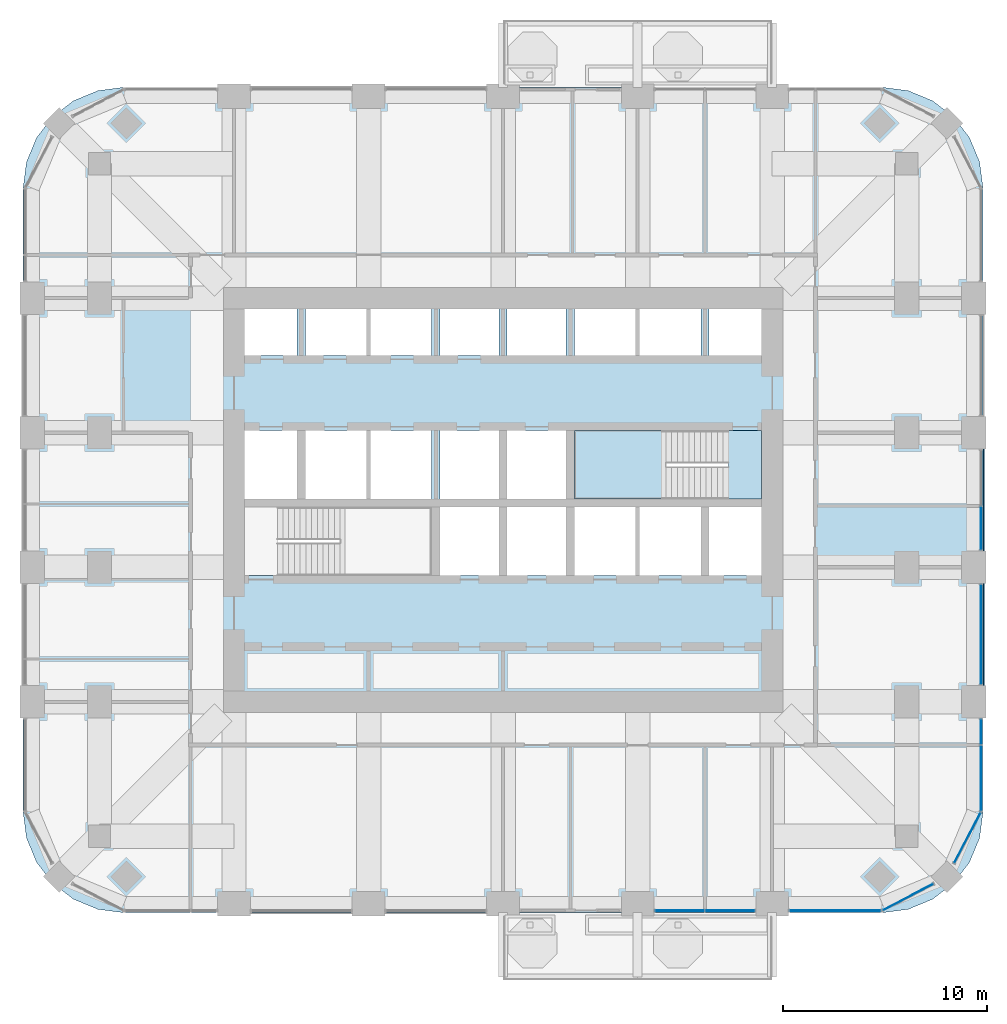
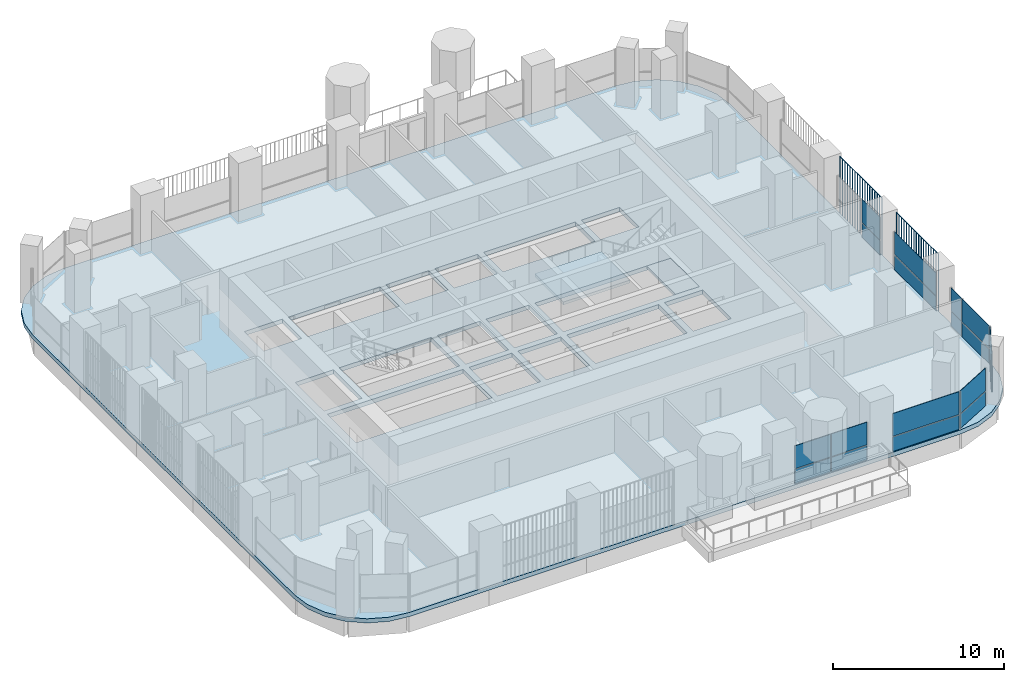
# One storey, part 10 of 19: 20 plates, 3 slabs, 8 elements without a shape of their own.
"""IFC4 building model written with IfcOpenShell, lengths in metres."""

import ifcopenshell
import ifcopenshell.guid

model = None  # the IFC model being written
_history = None  # IfcOwnerHistory: only IFC2X3 demands one
_inside = {}  # id of a spatial element -> (the spatial element, [elements in it])
_under = {}  # id of a project, library or spatial element -> (it, [spatial elements below it])
_declared = {}  # id of a project -> (the project, [libraries it declares])
_typed = {}  # id of a type object -> (the type object, [elements of that type])
_made_of = {}  # id of a material, layer set ... -> (it, [elements and type objects made of it])


def new_model(schema):
    """Start an empty IFC model of exactly this schema.

    Asked for "IFC4X3", IfcOpenShell would pick the latest addendum, in which some entities
    have other attributes; the version numbers below select the first issue.
    IFC2X3 requires an IfcOwnerHistory on every rooted entity: one is made here for all.
    """
    global model, _history
    if schema == "IFC4X3":
        model = ifcopenshell.file(schema_version=(4, 3, 0, 0))
    else:
        model = ifcopenshell.file(schema=schema)
    _inside.clear()
    _under.clear()
    _declared.clear()
    _typed.clear()
    _made_of.clear()
    _history = None
    if model.schema == "IFC2X3":
        org = make("IfcOrganization", Name="unknown")
        user = make(
            "IfcPersonAndOrganization",
            ThePerson=make("IfcPerson", FamilyName="unknown"),
            TheOrganization=org,
        )
        app = make(
            "IfcApplication",
            ApplicationDeveloper=org,
            Version="unknown",
            ApplicationFullName="unknown",
            ApplicationIdentifier="unknown",
        )
        _history = make(
            "IfcOwnerHistory",
            OwningUser=user,
            OwningApplication=app,
            ChangeAction="ADDED",
            CreationDate=0,
        )
    return model


def make(cls, **values):
    """One entity of the class cls with the attributes given. An attribute that is None is left unset."""
    return model.create_entity(
        cls, **{name: value for name, value in values.items() if value is not None}
    )


def rooted(cls, **values):
    """An entity with a GlobalId (a new one), such as an element, a storey or a relation."""
    return make(cls, GlobalId=ifcopenshell.guid.new(), OwnerHistory=_history, **values)


def si_unit(unit_type, name, prefix=None):
    """IfcSIUnit, for example si_unit("LENGTHUNIT", "METRE", prefix="MILLI")."""
    return make("IfcSIUnit", UnitType=unit_type, Prefix=prefix, Name=name)


def assignment(units):
    """IfcUnitAssignment: the units of a project."""
    return None if units is None else make("IfcUnitAssignment", Units=units)


def point(xyz):
    """IfcCartesianPoint."""
    return None if xyz is None else make("IfcCartesianPoint", Coordinates=xyz)


def direction(xyz):
    """IfcDirection."""
    return None if xyz is None else make("IfcDirection", DirectionRatios=xyz)


def frame(location, z_axis=None, x_axis=None):
    """IfcAxis2Placement3D, a coordinate frame: its origin and axes. An axis left out is left unset."""
    return make(
        "IfcAxis2Placement3D",
        Location=point(location),
        Axis=direction(z_axis),
        RefDirection=direction(x_axis),
    )


def frame_2d(location, x_axis=None):
    """IfcAxis2Placement2D, a coordinate frame in the plane: its origin and x axis."""
    return make(
        "IfcAxis2Placement2D", Location=point(location), RefDirection=direction(x_axis)
    )


def origin():
    """The frame at (0, 0, 0) with its axes left unset."""
    return frame((0.0, 0.0, 0.0))


def origin_2d():
    """The frame at (0, 0) in the plane with its x axis left unset."""
    return frame_2d((0.0, 0.0))


def place(relative_to, where):
    """IfcLocalPlacement: puts the frame where relative to a parent placement (None: the world)."""
    return make(
        "IfcLocalPlacement", PlacementRelTo=relative_to, RelativePlacement=where
    )


def context(
    kind, dimensions, precision=None, world=None, true_north=None, identifier=None
):
    """IfcGeometricRepresentationContext, for example the 3D "Model" context."""
    return make(
        "IfcGeometricRepresentationContext",
        ContextIdentifier=identifier,
        ContextType=kind,
        CoordinateSpaceDimension=dimensions,
        Precision=precision,
        WorldCoordinateSystem=world,
        TrueNorth=true_north,
    )


def subcontext(parent, identifier, kind, view, scale=None):
    """IfcGeometricRepresentationSubContext, for example "Body" below "Model"."""
    return make(
        "IfcGeometricRepresentationSubContext",
        ContextIdentifier=identifier,
        ContextType=kind,
        ParentContext=parent,
        TargetScale=scale,
        TargetView=view,
    )


def project(units=None, contexts=None):
    """IfcProject with its units and contexts."""
    return rooted(
        "IfcProject",
        Name="project",
        RepresentationContexts=contexts,
        UnitsInContext=assignment(units),
    )


def spatial(cls, under=None, at=None, **own):
    """A site, building, storey or space (cls), placed at a placement, below another one or the project."""
    s = rooted(cls, ObjectPlacement=at, **own)
    if under is not None:
        _under.setdefault(under.id(), (under, []))[1].append(s)
    return s


def polyline(points):
    """IfcPolyline through the points."""
    return make("IfcPolyline", Points=[point(p) for p in points])


def profile(cls, at=None, kind="AREA", **sizes):
    """A parametric profile (cls). Its sizes go by their IFC names, for example OverallWidth=200.0."""
    return make(cls, ProfileType=kind, Position=at, **sizes)


def rectangle(**sizes):
    """IfcRectangleProfileDef."""
    return profile("IfcRectangleProfileDef", **sizes)


def outline(outer, holes=None, kind="AREA"):
    """IfcArbitraryClosedProfileDef: a profile drawn as a closed curve; with holes, ...WithVoids."""
    if holes is None:
        return make("IfcArbitraryClosedProfileDef", ProfileType=kind, OuterCurve=outer)
    return make(
        "IfcArbitraryProfileDefWithVoids",
        ProfileType=kind,
        OuterCurve=outer,
        InnerCurves=holes,
    )


def extrude(swept, where, along, depth):
    """IfcExtrudedAreaSolid: the profile swept, set in the frame where, extruded along a direction by depth."""
    return make(
        "IfcExtrudedAreaSolid",
        SweptArea=swept,
        Position=where,
        ExtrudedDirection=direction(along),
        Depth=depth,
    )


def shape(context_of_items, identifier, shape_type, items):
    """IfcShapeRepresentation: the items that make up one representation, for example the "Body"."""
    return make(
        "IfcShapeRepresentation",
        ContextOfItems=context_of_items,
        RepresentationIdentifier=identifier,
        RepresentationType=shape_type,
        Items=items,
    )


def material(Name=None, Category=None):
    """IfcMaterial."""
    return make("IfcMaterial", Name=Name, Category=Category)


def layer(
    of_material, thickness, ventilated=None, Name=None, Category=None, Priority=None
):
    """IfcMaterialLayer: one layer of a wall or slab, of a material (None: an air gap)."""
    return make(
        "IfcMaterialLayer",
        Material=of_material,
        LayerThickness=thickness,
        IsVentilated=ventilated,
        Name=Name,
        Category=Category,
        Priority=Priority,
    )


def layer_set(layers, Name=None):
    """IfcMaterialLayerSet."""
    return make("IfcMaterialLayerSet", MaterialLayers=layers, LayerSetName=Name)


def made_of(thing, what):
    """Note that an element or type object is made of a material, layer set ...; save() writes the relation."""
    if what is not None:
        _made_of.setdefault(what.id(), (what, []))[1].append(thing)
    return thing


def type_object(cls, material=None, **own):
    """A type object (cls), such as IfcWallType, which elements share."""
    return made_of(rooted(cls, **own), material)


def element(
    cls,
    number,
    at=None,
    inside=None,
    cuts=None,
    type_object=None,
    material=None,
    context=None,
    identifier="Body",
    shape_type=None,
    held_by="IfcProductDefinitionShape",
    body=None,
    shapes=None,
    **own,
):
    """One element of the class cls, such as IfcWall. Its Tag is "e" and its number.

    at: its placement. inside: the storey or other place that contains it. cuts: it is an
    opening in that element (IfcRelVoidsElement). A single representation is given by context,
    identifier, shape_type and body (its items); several are given by shapes. held_by: the class
    of the entity that holds the representations. save() writes the other relations.
    """
    e = rooted(cls, Tag="e%d" % number, ObjectPlacement=at, **own)
    if body is not None:
        shapes = [shape(context, identifier, shape_type, body)]
    if shapes is not None:
        e.Representation = make(held_by, Representations=shapes)
    if inside is not None:
        _inside.setdefault(inside.id(), (inside, []))[1].append(e)
    if cuts is not None:
        rooted(
            "IfcRelVoidsElement", RelatingBuildingElement=cuts, RelatedOpeningElement=e
        )
    if type_object is not None:
        _typed.setdefault(type_object.id(), (type_object, []))[1].append(e)
    return made_of(e, material)


def aggregate(whole, parts):
    """IfcRelAggregates: a whole, such as a stair, and the parts it consists of."""
    return rooted("IfcRelAggregates", RelatingObject=whole, RelatedObjects=parts)


def save(model, path):
    """Write the relations noted so far, then the file.

    IfcRelAggregates (storeys below a building ...), IfcRelContainedInSpatialStructure (elements
    in a storey), IfcRelDefinesByType, IfcRelAssociatesMaterial and IfcRelDeclares: one each for
    every whole, place, type object, material and project.
    """
    for whole, parts in _under.values():
        aggregate(whole, parts)
    for where, things in _inside.values():
        rooted(
            "IfcRelContainedInSpatialStructure",
            RelatedElements=things,
            RelatingStructure=where,
        )
    for kind, things in _typed.values():
        rooted("IfcRelDefinesByType", RelatedObjects=things, RelatingType=kind)
    for what, things in _made_of.values():
        rooted("IfcRelAssociatesMaterial", RelatedObjects=things, RelatingMaterial=what)
    for by, libraries in _declared.values():
        rooted("IfcRelDeclares", RelatingContext=by, RelatedDefinitions=libraries)
    model.write(path)


model = new_model("IFC4")

# Units and contexts
model_context = context("Model", 3, precision=1e-05, world=origin(), true_north=direction((0.0, 1.0)))
body_context = subcontext(model_context, "Body", "Model", "MODEL_VIEW")
ifc_project = project(units=[si_unit("LENGTHUNIT", "METRE"), si_unit("AREAUNIT", "SQUARE_METRE"), si_unit("VOLUMEUNIT", "CUBIC_METRE"), si_unit("PLANEANGLEUNIT", "RADIAN"), si_unit("MASSUNIT", "GRAM", prefix="KILO")], contexts=[model_context])

# Site, building, storey
site_placement = place(None, origin())
site = spatial("IfcSite", under=ifc_project, at=site_placement, CompositionType="ELEMENT")
building_placement = place(site_placement, origin())
building = spatial("IfcBuilding", under=site, at=building_placement, Name="Cobogo Forest Laboratory Tower", CompositionType="ELEMENT")
storey_placement = place(building_placement, frame((0.0, 0.0, 172.5)))
storey = spatial("IfcBuildingStorey", under=building, at=storey_placement, Name="L39", CompositionType="ELEMENT", Elevation=172.5)

# Slab
ifc_material_1 = material(Name="Concrete HA-40 (C40/50)", Category="concrete")
ifc_layer_1 = layer(ifc_material_1, 0.300048828125)
ifc_layer_set_1 = layer_set([ifc_layer_1], Name="Floor slab 300")
slab_type_1 = type_object("IfcSlabType", Name="Floor slab 300", PredefinedType="FLOOR", material=ifc_layer_set_1)
slab_1_placement = place(storey_placement, frame((0.0, 0.0, -0.300048828125)))
element("IfcSlab", 1, at=slab_1_placement, inside=storey, type_object=slab_type_1, Name="L39 floor slab", PredefinedType="FLOOR", context=body_context, shape_type="SweptSolid", body=[
    extrude(outline(polyline([(45.0, 2.85009765625), (46.28125, 3.0185546875), (47.47509765625, 3.51318359375), (48.500244140625, 4.2998046875), (49.286865234375, 5.324951171875), (49.78125, 6.518798828125), (49.949951171875, 7.800048828125), (49.949951171875, 38.39990234375), (49.78125, 39.68115234375), (49.286865234375, 40.875), (48.500244140625, 41.900146484375), (47.47509765625, 42.686767578125), (46.28125, 43.181396484375), (45.0, 43.35009765625), (7.800048828125, 43.35009765625), (6.518798828125, 43.181396484375), (5.324951171875, 42.686767578125), (4.2998046875, 41.900146484375), (3.51318359375, 40.875), (3.0185546875, 39.68115234375), (2.85009765625, 38.39990234375), (2.85009765625, 7.800048828125), (3.0185546875, 6.518798828125), (3.51318359375, 5.324951171875), (4.2998046875, 4.2998046875), (5.324951171875, 3.51318359375), (6.518798828125, 3.0185546875), (7.800048828125, 2.85009765625), (45.0, 2.85009765625)]), holes=[polyline([(22.89990234375, 19.39990234375), (13.72509765625, 19.39990234375), (13.72509765625, 22.75), (22.89990234375, 22.75), (22.89990234375, 19.39990234375)]), polyline([(26.199951171875, 19.39990234375), (23.300048828125, 19.39990234375), (23.300048828125, 22.75), (26.199951171875, 22.75), (26.199951171875, 19.39990234375)]), polyline([(29.5, 19.39990234375), (26.60009765625, 19.39990234375), (26.60009765625, 22.75), (29.5, 22.75), (29.5, 19.39990234375)]), polyline([(36.10009765625, 22.75), (36.10009765625, 19.39990234375), (29.89990234375, 19.39990234375), (29.89990234375, 22.75), (36.10009765625, 22.75)]), polyline([(36.5, 19.39990234375), (36.5, 22.75), (39.074951171875, 22.75), (39.074951171875, 19.39990234375), (36.5, 19.39990234375)]), polyline([(16.300048828125, 23.14990234375), (13.72509765625, 23.14990234375), (13.72509765625, 26.5), (16.300048828125, 26.5), (16.300048828125, 23.14990234375)]), polyline([(22.89990234375, 26.5), (22.89990234375, 23.14990234375), (16.699951171875, 23.14990234375), (16.699951171875, 26.5), (22.89990234375, 26.5)]), polyline([(26.199951171875, 23.14990234375), (23.300048828125, 23.14990234375), (23.300048828125, 26.5), (26.199951171875, 26.5), (26.199951171875, 23.14990234375)]), polyline([(26.60009765625, 23.14990234375), (26.60009765625, 26.5), (29.5, 26.5), (29.5, 23.14990234375), (26.60009765625, 23.14990234375)]), polyline([(39.074951171875, 23.14990234375), (29.89990234375, 23.14990234375), (29.89990234375, 26.5), (39.074951171875, 26.5), (39.074951171875, 23.14990234375)]), polyline([(16.300048828125, 30.199951171875), (13.72509765625, 30.199951171875), (13.72509765625, 32.47509765625), (16.300048828125, 32.47509765625), (16.300048828125, 30.199951171875)]), polyline([(22.89990234375, 32.47509765625), (22.89990234375, 30.199951171875), (16.699951171875, 30.199951171875), (16.699951171875, 32.47509765625), (22.89990234375, 32.47509765625)]), polyline([(23.300048828125, 30.199951171875), (23.300048828125, 32.47509765625), (26.199951171875, 32.47509765625), (26.199951171875, 30.199951171875), (23.300048828125, 30.199951171875)]), polyline([(29.5, 30.199951171875), (26.60009765625, 30.199951171875), (26.60009765625, 32.47509765625), (29.5, 32.47509765625), (29.5, 30.199951171875)]), polyline([(36.10009765625, 32.47509765625), (36.10009765625, 30.199951171875), (29.89990234375, 30.199951171875), (29.89990234375, 32.47509765625), (36.10009765625, 32.47509765625)]), polyline([(36.5, 30.199951171875), (36.5, 32.47509765625), (39.074951171875, 32.47509765625), (39.074951171875, 30.199951171875), (36.5, 30.199951171875)])]), origin(), (0.0, 0.0, 1.0), 0.300048828125),
])

# Curtain wall, plates
ifc_material_2 = material(Name="Aluminium curtain wall", Category="aluminium")
curtain_wall_type = type_object("IfcCurtainWallType", Name="CW-2 unitised curtain wall, solar control glazing, laboratory floors zones C and D", PredefinedType="USERDEFINED", material=ifc_material_2)
curtain_wall_1_placement = place(storey_placement, origin())
curtain_wall_1 = element("IfcCurtainWall", 2, at=curtain_wall_1_placement, inside=storey, type_object=curtain_wall_type, Name="Curtain wall 05 L39", ObjectType="UNITISED CURTAIN WALL", PredefinedType="USERDEFINED")
ifc_material_3 = material(Name="Solar control insulated glass", Category="glass")
ifc_layer_2 = layer(ifc_material_3, 0.031982421875)
ifc_layer_set_2 = layer_set([ifc_layer_2], Name="GP-2 solar control glass unit 32")
plate_type_1 = type_object("IfcPlateType", Name="GP-2 solar control glass unit 32", PredefinedType="CURTAIN_PANEL", material=ifc_layer_set_2)
plate_1_placement = place(storey_placement, frame((35.06494140625, 2.949951171875, 0.0), z_axis=(0.0, 0.0, 1.0), x_axis=(1.0, 0.0, 0.0)))
plate_1 = element("IfcPlate", 3, at=plate_1_placement, type_object=plate_type_1, Name="CW-2 panel 1.1", PredefinedType="CURTAIN_PANEL", context=body_context, shape_type="SweptSolid", body=[
    extrude(rectangle(XDim=2.409912109375, YDim=0.031982421875, at=origin_2d()), origin(), (0.0, 0.0, 1.0), 1.02001953125),
])
plate_2_placement = place(storey_placement, frame((35.06494140625, 2.949951171875, 1.079833984375), z_axis=(0.0, 0.0, 1.0), x_axis=(1.0, 0.0, 0.0)))
plate_2 = element("IfcPlate", 4, at=plate_2_placement, type_object=plate_type_1, Name="CW-2 panel 1.2", PredefinedType="CURTAIN_PANEL", context=body_context, shape_type="SweptSolid", body=[
    extrude(rectangle(XDim=2.409912109375, YDim=0.031982421875, at=origin_2d()), origin(), (0.0, 0.0, 1.0), 1.6201171875),
])
plate_3_placement = place(storey_placement, frame((37.534912109375, 2.949951171875, 0.0), z_axis=(0.0, 0.0, 1.0), x_axis=(1.0, 0.0, 0.0)))
plate_3 = element("IfcPlate", 5, at=plate_3_placement, type_object=plate_type_1, Name="CW-2 panel 2.1", PredefinedType="CURTAIN_PANEL", context=body_context, shape_type="SweptSolid", body=[
    extrude(rectangle(XDim=2.409912109375, YDim=0.031982421875, at=origin_2d()), origin(), (0.0, 0.0, 1.0), 1.02001953125),
])
plate_4_placement = place(storey_placement, frame((37.534912109375, 2.949951171875, 1.079833984375), z_axis=(0.0, 0.0, 1.0), x_axis=(1.0, 0.0, 0.0)))
plate_4 = element("IfcPlate", 6, at=plate_4_placement, type_object=plate_type_1, Name="CW-2 panel 2.2", PredefinedType="CURTAIN_PANEL", context=body_context, shape_type="SweptSolid", body=[
    extrude(rectangle(XDim=2.409912109375, YDim=0.031982421875, at=origin_2d()), origin(), (0.0, 0.0, 1.0), 1.6201171875),
])
aggregate(curtain_wall_1, [plate_1, plate_2, plate_3, plate_4])

curtain_wall_2_placement = place(storey_placement, origin())
curtain_wall_2 = element("IfcCurtainWall", 7, at=curtain_wall_2_placement, inside=storey, type_object=curtain_wall_type, Name="Curtain wall 06 L39", ObjectType="UNITISED CURTAIN WALL", PredefinedType="USERDEFINED")
plate_5_placement = place(storey_placement, frame((42.699951171875, 2.949951171875, 0.0), z_axis=(0.0, 0.0, 1.0), x_axis=(1.0, 0.0, 0.0)))
plate_5 = element("IfcPlate", 8, at=plate_5_placement, type_object=plate_type_1, Name="CW-2 panel 1.1", PredefinedType="CURTAIN_PANEL", context=body_context, shape_type="SweptSolid", body=[
    extrude(rectangle(XDim=4.47998046875, YDim=0.031982421875, at=origin_2d()), origin(), (0.0, 0.0, 1.0), 1.02001953125),
])
plate_6_placement = place(storey_placement, frame((42.699951171875, 2.949951171875, 1.079833984375), z_axis=(0.0, 0.0, 1.0), x_axis=(1.0, 0.0, 0.0)))
plate_6 = element("IfcPlate", 9, at=plate_6_placement, type_object=plate_type_1, Name="CW-2 panel 1.2", PredefinedType="CURTAIN_PANEL", context=body_context, shape_type="SweptSolid", body=[
    extrude(rectangle(XDim=4.47998046875, YDim=0.031982421875, at=origin_2d()), origin(), (0.0, 0.0, 1.0), 1.6201171875),
])
aggregate(curtain_wall_2, [plate_5, plate_6])

curtain_wall_3_placement = place(storey_placement, origin())
curtain_wall_3 = element("IfcCurtainWall", 10, at=curtain_wall_3_placement, inside=storey, type_object=curtain_wall_type, Name="Curtain wall 07 L39", ObjectType="UNITISED CURTAIN WALL", PredefinedType="USERDEFINED")
plate_7_placement = place(storey_placement, frame((46.275634765625, 3.61865234375, 0.0), z_axis=(0.0, 0.0, 1.0), x_axis=(0.885686484356, 0.464283804832, 0.0)))
plate_7 = element("IfcPlate", 11, at=plate_7_placement, type_object=plate_type_1, Name="CW-2 panel 1.1", PredefinedType="CURTAIN_PANEL", context=body_context, shape_type="SweptSolid", body=[
    extrude(rectangle(XDim=2.76025390625, YDim=0.031982421875, at=origin_2d()), origin(), (0.0, 0.0, 1.0), 1.02001953125),
])
plate_8_placement = place(storey_placement, frame((46.275634765625, 3.61865234375, 1.079833984375), z_axis=(0.0, 0.0, 1.0), x_axis=(0.885686484356, 0.464283804832, 0.0)))
plate_8 = element("IfcPlate", 12, at=plate_8_placement, type_object=plate_type_1, Name="CW-2 panel 1.2", PredefinedType="CURTAIN_PANEL", context=body_context, shape_type="SweptSolid", body=[
    extrude(rectangle(XDim=2.76025390625, YDim=0.031982421875, at=origin_2d()), origin(), (0.0, 0.0, 1.0), 1.6201171875),
])
aggregate(curtain_wall_3, [plate_7, plate_8])

curtain_wall_4_placement = place(storey_placement, origin())
curtain_wall_4 = element("IfcCurtainWall", 13, at=curtain_wall_4_placement, inside=storey, type_object=curtain_wall_type, Name="Curtain wall 08 L39", ObjectType="UNITISED CURTAIN WALL", PredefinedType="USERDEFINED")
plate_9_placement = place(storey_placement, frame((49.181396484375, 6.5244140625, 0.0), z_axis=(0.0, 0.0, 1.0), x_axis=(0.464283804832, 0.885686484356, 0.0)))
plate_9 = element("IfcPlate", 14, at=plate_9_placement, type_object=plate_type_1, Name="CW-2 panel 1.1", PredefinedType="CURTAIN_PANEL", context=body_context, shape_type="SweptSolid", body=[
    extrude(rectangle(XDim=2.76025390625, YDim=0.031982421875, at=origin_2d()), origin(), (0.0, 0.0, 1.0), 1.02001953125),
])
plate_10_placement = place(storey_placement, frame((49.181396484375, 6.5244140625, 1.079833984375), z_axis=(0.0, 0.0, 1.0), x_axis=(0.464283804832, 0.885686484356, 0.0)))
plate_10 = element("IfcPlate", 15, at=plate_10_placement, type_object=plate_type_1, Name="CW-2 panel 1.2", PredefinedType="CURTAIN_PANEL", context=body_context, shape_type="SweptSolid", body=[
    extrude(rectangle(XDim=2.76025390625, YDim=0.031982421875, at=origin_2d()), origin(), (0.0, 0.0, 1.0), 1.6201171875),
])
aggregate(curtain_wall_4, [plate_9, plate_10])

curtain_wall_5_placement = place(storey_placement, origin())
curtain_wall_5 = element("IfcCurtainWall", 16, at=curtain_wall_5_placement, inside=storey, type_object=curtain_wall_type, Name="Curtain wall 09 L39", ObjectType="UNITISED CURTAIN WALL", PredefinedType="USERDEFINED")
plate_11_placement = place(storey_placement, frame((49.85009765625, 9.452392578125, 0.0), z_axis=(0.0, 0.0, 1.0), x_axis=(0.0, 1.0, 0.0)))
plate_11 = element("IfcPlate", 17, at=plate_11_placement, type_object=plate_type_1, Name="CW-2 panel 1.1", PredefinedType="CURTAIN_PANEL", context=body_context, shape_type="SweptSolid", body=[
    extrude(rectangle(XDim=3.18505859375, YDim=0.031982421875, at=origin_2d()), origin(), (0.0, 0.0, 1.0), 1.02001953125),
])
plate_12_placement = place(storey_placement, frame((49.85009765625, 9.452392578125, 1.079833984375), z_axis=(0.0, 0.0, 1.0), x_axis=(0.0, 1.0, 0.0)))
plate_12 = element("IfcPlate", 18, at=plate_12_placement, type_object=plate_type_1, Name="CW-2 panel 1.2", PredefinedType="CURTAIN_PANEL", context=body_context, shape_type="SweptSolid", body=[
    extrude(rectangle(XDim=3.18505859375, YDim=0.031982421875, at=origin_2d()), origin(), (0.0, 0.0, 1.0), 1.6201171875),
])
plate_13_placement = place(storey_placement, frame((49.85009765625, 11.722412109375, 0.0), z_axis=(0.0, 0.0, 1.0), x_axis=(0.0, 1.0, 0.0)))
plate_13 = element("IfcPlate", 19, at=plate_13_placement, type_object=plate_type_1, Name="CW-2 panel 2.1", PredefinedType="CURTAIN_PANEL", context=body_context, shape_type="SweptSolid", body=[
    extrude(rectangle(XDim=1.235107421875, YDim=0.031982421875, at=origin_2d()), origin(), (0.0, 0.0, 1.0), 1.02001953125),
])
plate_14_placement = place(storey_placement, frame((49.85009765625, 11.722412109375, 1.079833984375), z_axis=(0.0, 0.0, 1.0), x_axis=(0.0, 1.0, 0.0)))
plate_14 = element("IfcPlate", 20, at=plate_14_placement, type_object=plate_type_1, Name="CW-2 panel 2.2", PredefinedType="CURTAIN_PANEL", context=body_context, shape_type="SweptSolid", body=[
    extrude(rectangle(XDim=1.235107421875, YDim=0.031982421875, at=origin_2d()), origin(), (0.0, 0.0, 1.0), 1.6201171875),
])
aggregate(curtain_wall_5, [plate_11, plate_12, plate_13, plate_14])

curtain_wall_6_placement = place(storey_placement, origin())
curtain_wall_6 = element("IfcCurtainWall", 21, at=curtain_wall_6_placement, inside=storey, type_object=curtain_wall_type, Name="Curtain wall 10 L39", ObjectType="UNITISED CURTAIN WALL", PredefinedType="USERDEFINED")
plate_15_placement = place(storey_placement, frame((49.85009765625, 16.5, 0.0), z_axis=(0.0, 0.0, 1.0), x_axis=(0.0, 1.0, 0.0)))
plate_15 = element("IfcPlate", 22, at=plate_15_placement, type_object=plate_type_1, Name="CW-2 panel 1.1", PredefinedType="CURTAIN_PANEL", context=body_context, shape_type="SweptSolid", body=[
    extrude(rectangle(XDim=4.8798828125, YDim=0.031982421875, at=origin_2d()), origin(), (0.0, 0.0, 1.0), 1.02001953125),
])
plate_16_placement = place(storey_placement, frame((49.85009765625, 16.5, 1.079833984375), z_axis=(0.0, 0.0, 1.0), x_axis=(0.0, 1.0, 0.0)))
plate_16 = element("IfcPlate", 23, at=plate_16_placement, type_object=plate_type_1, Name="CW-2 panel 1.2", PredefinedType="CURTAIN_PANEL", context=body_context, shape_type="SweptSolid", body=[
    extrude(rectangle(XDim=4.8798828125, YDim=0.031982421875, at=origin_2d()), origin(), (0.0, 0.0, 1.0), 1.6201171875),
])
aggregate(curtain_wall_6, [plate_15, plate_16])

curtain_wall_7_placement = place(storey_placement, origin())
curtain_wall_7 = element("IfcCurtainWall", 24, at=curtain_wall_7_placement, inside=storey, type_object=curtain_wall_type, Name="Curtain wall 11 L39", ObjectType="UNITISED CURTAIN WALL", PredefinedType="USERDEFINED")
plate_17_placement = place(storey_placement, frame((49.85009765625, 21.715087890625, 0.0), z_axis=(0.0, 0.0, 1.0), x_axis=(0.0, 1.0, 0.0)))
plate_17 = element("IfcPlate", 25, at=plate_17_placement, type_object=plate_type_1, Name="CW-2 panel 1.1", PredefinedType="CURTAIN_PANEL", context=body_context, shape_type="SweptSolid", body=[
    extrude(rectangle(XDim=2.110107421875, YDim=0.031982421875, at=origin_2d()), origin(), (0.0, 0.0, 1.0), 1.02001953125),
])
plate_18_placement = place(storey_placement, frame((49.85009765625, 21.715087890625, 1.079833984375), z_axis=(0.0, 0.0, 1.0), x_axis=(0.0, 1.0, 0.0)))
plate_18 = element("IfcPlate", 26, at=plate_18_placement, type_object=plate_type_1, Name="CW-2 panel 1.2", PredefinedType="CURTAIN_PANEL", context=body_context, shape_type="SweptSolid", body=[
    extrude(rectangle(XDim=2.110107421875, YDim=0.031982421875, at=origin_2d()), origin(), (0.0, 0.0, 1.0), 1.6201171875),
])
aggregate(curtain_wall_7, [plate_17, plate_18])

# Stair, slabs
ifc_material_4 = material(Name="Precast concrete HA-40 (C40/50)", Category="concrete")
stair_type = type_object("IfcStairType", Name="ST24 exit stair 24 risers", PredefinedType="HALF_TURN_STAIR", material=ifc_material_4)
stair_placement = place(storey_placement, origin())
stair = element("IfcStair", 27, at=stair_placement, inside=storey, type_object=stair_type, Name="Stair 2 L39 to L40", PredefinedType="HALF_TURN_STAIR")
ifc_layer_3 = layer(ifc_material_1, 0.199951171875)
ifc_layer_set_3 = layer_set([ifc_layer_3], Name="SL stair landing 200")
slab_type_2 = type_object("IfcSlabType", Name="SL stair landing 200", PredefinedType="LANDING", material=ifc_layer_set_3)
slab_2_placement = place(storey_placement, frame((0.0, 0.0, -0.199951171875)))
slab_2 = element("IfcSlab", 28, at=slab_2_placement, type_object=slab_type_2, Name="ST2 landing 1", PredefinedType="LANDING", context=body_context, shape_type="SweptSolid", body=[
    extrude(outline(polyline([(37.472900390625, 23.14990234375), (39.074951171875, 23.14990234375), (39.074951171875, 26.5), (37.472900390625, 26.5), (37.472900390625, 23.14990234375)])), origin(), (0.0, 0.0, 1.0), 0.199951171875),
])
slab_3_placement = place(storey_placement, frame((0.0, 0.0, 1.89990234375)))
slab_3 = element("IfcSlab", 29, at=slab_3_placement, type_object=slab_type_2, Name="ST2 landing 2", PredefinedType="LANDING", context=body_context, shape_type="SweptSolid", body=[
    extrude(outline(polyline([(29.89990234375, 23.14990234375), (34.39697265625, 23.14990234375), (34.39697265625, 26.5), (29.89990234375, 26.5), (29.89990234375, 23.14990234375)])), origin(), (0.0, 0.0, 1.0), 0.2001953125),
])
aggregate(stair, [slab_2, slab_3])

# Plates
ifc_material_5 = material(Name="Terracotta", Category="masonry")
plate_type_2 = type_object("IfcPlateType", Name="TB1 terracotta baguette screen", PredefinedType="USERDEFINED", material=ifc_material_5)
plate_19_placement = place(storey_placement, frame((49.977783203125, 14.03125, -0.14990234375)))
element("IfcPlate", 30, at=plate_19_placement, inside=storey, type_object=plate_type_2, Name="Baguette screen E1 L39", ObjectType="BAGUETTE SCREEN", PredefinedType="USERDEFINED", context=body_context, shape_type="SweptSolid", body=[
    extrude(outline(polyline([(0.02880859375, 0.011962890625), (0.011962890625, 0.02880859375), (-0.011962890625, 0.02880859375), (-0.02880859375, 0.011962890625), (-0.02880859375, -0.011962890625), (-0.011962890625, -0.02880859375), (0.011962890625, -0.02880859375), (0.02880859375, -0.011962890625), (0.02880859375, 0.011962890625)])), frame((0.0, 0.0, 4.168701171875), z_axis=(0.0, 1.0, 0.0), x_axis=(-1.0, 0.0, 0.0)), (0.0, 0.0, 1.0), 4.9375),
    extrude(outline(polyline([(0.02880859375, 0.011962890625), (0.011962890625, 0.02880859375), (-0.011962890625, 0.02880859375), (-0.02880859375, 0.011962890625), (-0.02880859375, -0.011962890625), (-0.011962890625, -0.02880859375), (0.011962890625, -0.02880859375), (0.02880859375, -0.011962890625), (0.02880859375, 0.011962890625)])), origin(), (0.0, 0.0, 1.0), 4.137451171875),
    extrude(outline(polyline([(0.02880859375, 0.011962890625), (0.011962890625, 0.02880859375), (-0.011962890625, 0.02880859375), (-0.02880859375, 0.011962890625), (-0.02880859375, -0.011962890625), (-0.011962890625, -0.02880859375), (0.011962890625, -0.02880859375), (0.02880859375, -0.011962890625), (0.02880859375, 0.011962890625)])), frame((0.0, 0.29052734375, 0.0)), (0.0, 0.0, 1.0), 4.137451171875),
    extrude(outline(polyline([(0.02880859375, 0.011962890625), (0.011962890625, 0.02880859375), (-0.011962890625, 0.02880859375), (-0.02880859375, 0.011962890625), (-0.02880859375, -0.011962890625), (-0.011962890625, -0.02880859375), (0.011962890625, -0.02880859375), (0.02880859375, -0.011962890625), (0.02880859375, 0.011962890625)])), frame((0.0, 0.580810546875, 0.0)), (0.0, 0.0, 1.0), 4.137451171875),
    extrude(outline(polyline([(0.02880859375, 0.011962890625), (0.011962890625, 0.02880859375), (-0.011962890625, 0.02880859375), (-0.02880859375, 0.011962890625), (-0.02880859375, -0.011962890625), (-0.011962890625, -0.02880859375), (0.011962890625, -0.02880859375), (0.02880859375, -0.011962890625), (0.02880859375, 0.011962890625)])), frame((0.0, 0.871337890625, 0.0)), (0.0, 0.0, 1.0), 4.137451171875),
    extrude(outline(polyline([(0.02880859375, 0.011962890625), (0.011962890625, 0.02880859375), (-0.011962890625, 0.02880859375), (-0.02880859375, 0.011962890625), (-0.02880859375, -0.011962890625), (-0.011962890625, -0.02880859375), (0.011962890625, -0.02880859375), (0.02880859375, -0.011962890625), (0.02880859375, 0.011962890625)])), frame((0.0, 1.161865234375, 0.0)), (0.0, 0.0, 1.0), 4.137451171875),
    extrude(outline(polyline([(0.02880859375, 0.011962890625), (0.011962890625, 0.02880859375), (-0.011962890625, 0.02880859375), (-0.02880859375, 0.011962890625), (-0.02880859375, -0.011962890625), (-0.011962890625, -0.02880859375), (0.011962890625, -0.02880859375), (0.02880859375, -0.011962890625), (0.02880859375, 0.011962890625)])), frame((0.0, 1.4521484375, 0.0)), (0.0, 0.0, 1.0), 4.137451171875),
    extrude(outline(polyline([(0.02880859375, 0.011962890625), (0.011962890625, 0.02880859375), (-0.011962890625, 0.02880859375), (-0.02880859375, 0.011962890625), (-0.02880859375, -0.011962890625), (-0.011962890625, -0.02880859375), (0.011962890625, -0.02880859375), (0.02880859375, -0.011962890625), (0.02880859375, 0.011962890625)])), frame((0.0, 1.74267578125, 0.0)), (0.0, 0.0, 1.0), 4.137451171875),
    extrude(outline(polyline([(0.02880859375, 0.011962890625), (0.011962890625, 0.02880859375), (-0.011962890625, 0.02880859375), (-0.02880859375, 0.011962890625), (-0.02880859375, -0.011962890625), (-0.011962890625, -0.02880859375), (0.011962890625, -0.02880859375), (0.02880859375, -0.011962890625), (0.02880859375, 0.011962890625)])), frame((0.0, 2.033203125, 0.0)), (0.0, 0.0, 1.0), 4.137451171875),
    extrude(outline(polyline([(0.02880859375, 0.011962890625), (0.011962890625, 0.02880859375), (-0.011962890625, 0.02880859375), (-0.02880859375, 0.011962890625), (-0.02880859375, -0.011962890625), (-0.011962890625, -0.02880859375), (0.011962890625, -0.02880859375), (0.02880859375, -0.011962890625), (0.02880859375, 0.011962890625)])), frame((0.0, 2.323486328125, 0.0)), (0.0, 0.0, 1.0), 4.137451171875),
    extrude(outline(polyline([(0.02880859375, 0.011962890625), (0.011962890625, 0.02880859375), (-0.011962890625, 0.02880859375), (-0.02880859375, 0.011962890625), (-0.02880859375, -0.011962890625), (-0.011962890625, -0.02880859375), (0.011962890625, -0.02880859375), (0.02880859375, -0.011962890625), (0.02880859375, 0.011962890625)])), frame((0.0, 2.614013671875, 0.0)), (0.0, 0.0, 1.0), 4.137451171875),
    extrude(outline(polyline([(0.02880859375, 0.011962890625), (0.011962890625, 0.02880859375), (-0.011962890625, 0.02880859375), (-0.02880859375, 0.011962890625), (-0.02880859375, -0.011962890625), (-0.011962890625, -0.02880859375), (0.011962890625, -0.02880859375), (0.02880859375, -0.011962890625), (0.02880859375, 0.011962890625)])), frame((0.0, 2.904296875, 0.0)), (0.0, 0.0, 1.0), 4.137451171875),
    extrude(outline(polyline([(0.02880859375, 0.011962890625), (0.011962890625, 0.02880859375), (-0.011962890625, 0.02880859375), (-0.02880859375, 0.011962890625), (-0.02880859375, -0.011962890625), (-0.011962890625, -0.02880859375), (0.011962890625, -0.02880859375), (0.02880859375, -0.011962890625), (0.02880859375, 0.011962890625)])), frame((0.0, 3.19482421875, 0.0)), (0.0, 0.0, 1.0), 4.137451171875),
    extrude(outline(polyline([(0.02880859375, 0.011962890625), (0.011962890625, 0.02880859375), (-0.011962890625, 0.02880859375), (-0.02880859375, 0.011962890625), (-0.02880859375, -0.011962890625), (-0.011962890625, -0.02880859375), (0.011962890625, -0.02880859375), (0.02880859375, -0.011962890625), (0.02880859375, 0.011962890625)])), frame((0.0, 3.4853515625, 0.0)), (0.0, 0.0, 1.0), 4.137451171875),
    extrude(outline(polyline([(0.02880859375, 0.011962890625), (0.011962890625, 0.02880859375), (-0.011962890625, 0.02880859375), (-0.02880859375, 0.011962890625), (-0.02880859375, -0.011962890625), (-0.011962890625, -0.02880859375), (0.011962890625, -0.02880859375), (0.02880859375, -0.011962890625), (0.02880859375, 0.011962890625)])), frame((0.0, 3.775634765625, 0.0)), (0.0, 0.0, 1.0), 4.137451171875),
    extrude(outline(polyline([(0.02880859375, 0.011962890625), (0.011962890625, 0.02880859375), (-0.011962890625, 0.02880859375), (-0.02880859375, 0.011962890625), (-0.02880859375, -0.011962890625), (-0.011962890625, -0.02880859375), (0.011962890625, -0.02880859375), (0.02880859375, -0.011962890625), (0.02880859375, 0.011962890625)])), frame((0.0, 4.066162109375, 0.0)), (0.0, 0.0, 1.0), 4.137451171875),
    extrude(outline(polyline([(0.02880859375, 0.011962890625), (0.011962890625, 0.02880859375), (-0.011962890625, 0.02880859375), (-0.02880859375, 0.011962890625), (-0.02880859375, -0.011962890625), (-0.011962890625, -0.02880859375), (0.011962890625, -0.02880859375), (0.02880859375, -0.011962890625), (0.02880859375, 0.011962890625)])), frame((0.0, 4.356689453125, 0.0)), (0.0, 0.0, 1.0), 4.137451171875),
    extrude(outline(polyline([(0.02880859375, 0.011962890625), (0.011962890625, 0.02880859375), (-0.011962890625, 0.02880859375), (-0.02880859375, 0.011962890625), (-0.02880859375, -0.011962890625), (-0.011962890625, -0.02880859375), (0.011962890625, -0.02880859375), (0.02880859375, -0.011962890625), (0.02880859375, 0.011962890625)])), frame((0.0, 4.64697265625, 0.0)), (0.0, 0.0, 1.0), 4.137451171875),
    extrude(outline(polyline([(0.02880859375, 0.011962890625), (0.011962890625, 0.02880859375), (-0.011962890625, 0.02880859375), (-0.02880859375, 0.011962890625), (-0.02880859375, -0.011962890625), (-0.011962890625, -0.02880859375), (0.011962890625, -0.02880859375), (0.02880859375, -0.011962890625), (0.02880859375, 0.011962890625)])), frame((0.0, 4.9375, 0.0)), (0.0, 0.0, 1.0), 4.137451171875),
])
plate_20_placement = place(storey_placement, frame((49.977783203125, 20.63134765625, -0.14990234375)))
element("IfcPlate", 31, at=plate_20_placement, inside=storey, type_object=plate_type_2, Name="Baguette screen E2 L39", ObjectType="BAGUETTE SCREEN", PredefinedType="USERDEFINED", context=body_context, shape_type="SweptSolid", body=[
    extrude(outline(polyline([(0.02880859375, 0.011962890625), (0.011962890625, 0.02880859375), (-0.011962890625, 0.02880859375), (-0.02880859375, 0.011962890625), (-0.02880859375, -0.011962890625), (-0.011962890625, -0.02880859375), (0.011962890625, -0.02880859375), (0.02880859375, -0.011962890625), (0.02880859375, 0.011962890625)])), frame((0.0, 0.0, 4.168701171875), z_axis=(0.0, 1.0, 0.0), x_axis=(-1.0, 0.0, 0.0)), (0.0, 0.0, 1.0), 4.9375),
    extrude(outline(polyline([(0.02880859375, 0.011962890625), (0.011962890625, 0.02880859375), (-0.011962890625, 0.02880859375), (-0.02880859375, 0.011962890625), (-0.02880859375, -0.011962890625), (-0.011962890625, -0.02880859375), (0.011962890625, -0.02880859375), (0.02880859375, -0.011962890625), (0.02880859375, 0.011962890625)])), origin(), (0.0, 0.0, 1.0), 4.137451171875),
    extrude(outline(polyline([(0.02880859375, 0.011962890625), (0.011962890625, 0.02880859375), (-0.011962890625, 0.02880859375), (-0.02880859375, 0.011962890625), (-0.02880859375, -0.011962890625), (-0.011962890625, -0.02880859375), (0.011962890625, -0.02880859375), (0.02880859375, -0.011962890625), (0.02880859375, 0.011962890625)])), frame((0.0, 0.29052734375, 0.0)), (0.0, 0.0, 1.0), 4.137451171875),
    extrude(outline(polyline([(0.02880859375, 0.011962890625), (0.011962890625, 0.02880859375), (-0.011962890625, 0.02880859375), (-0.02880859375, 0.011962890625), (-0.02880859375, -0.011962890625), (-0.011962890625, -0.02880859375), (0.011962890625, -0.02880859375), (0.02880859375, -0.011962890625), (0.02880859375, 0.011962890625)])), frame((0.0, 0.580810546875, 0.0)), (0.0, 0.0, 1.0), 4.137451171875),
    extrude(outline(polyline([(0.02880859375, 0.011962890625), (0.011962890625, 0.02880859375), (-0.011962890625, 0.02880859375), (-0.02880859375, 0.011962890625), (-0.02880859375, -0.011962890625), (-0.011962890625, -0.02880859375), (0.011962890625, -0.02880859375), (0.02880859375, -0.011962890625), (0.02880859375, 0.011962890625)])), frame((0.0, 0.871337890625, 0.0)), (0.0, 0.0, 1.0), 4.137451171875),
    extrude(outline(polyline([(0.02880859375, 0.011962890625), (0.011962890625, 0.02880859375), (-0.011962890625, 0.02880859375), (-0.02880859375, 0.011962890625), (-0.02880859375, -0.011962890625), (-0.011962890625, -0.02880859375), (0.011962890625, -0.02880859375), (0.02880859375, -0.011962890625), (0.02880859375, 0.011962890625)])), frame((0.0, 1.161865234375, 0.0)), (0.0, 0.0, 1.0), 4.137451171875),
    extrude(outline(polyline([(0.02880859375, 0.011962890625), (0.011962890625, 0.02880859375), (-0.011962890625, 0.02880859375), (-0.02880859375, 0.011962890625), (-0.02880859375, -0.011962890625), (-0.011962890625, -0.02880859375), (0.011962890625, -0.02880859375), (0.02880859375, -0.011962890625), (0.02880859375, 0.011962890625)])), frame((0.0, 1.4521484375, 0.0)), (0.0, 0.0, 1.0), 4.137451171875),
    extrude(outline(polyline([(0.02880859375, 0.011962890625), (0.011962890625, 0.02880859375), (-0.011962890625, 0.02880859375), (-0.02880859375, 0.011962890625), (-0.02880859375, -0.011962890625), (-0.011962890625, -0.02880859375), (0.011962890625, -0.02880859375), (0.02880859375, -0.011962890625), (0.02880859375, 0.011962890625)])), frame((0.0, 1.74267578125, 0.0)), (0.0, 0.0, 1.0), 4.137451171875),
    extrude(outline(polyline([(0.02880859375, 0.011962890625), (0.011962890625, 0.02880859375), (-0.011962890625, 0.02880859375), (-0.02880859375, 0.011962890625), (-0.02880859375, -0.011962890625), (-0.011962890625, -0.02880859375), (0.011962890625, -0.02880859375), (0.02880859375, -0.011962890625), (0.02880859375, 0.011962890625)])), frame((0.0, 2.033203125, 0.0)), (0.0, 0.0, 1.0), 4.137451171875),
    extrude(outline(polyline([(0.02880859375, 0.011962890625), (0.011962890625, 0.02880859375), (-0.011962890625, 0.02880859375), (-0.02880859375, 0.011962890625), (-0.02880859375, -0.011962890625), (-0.011962890625, -0.02880859375), (0.011962890625, -0.02880859375), (0.02880859375, -0.011962890625), (0.02880859375, 0.011962890625)])), frame((0.0, 2.323486328125, 0.0)), (0.0, 0.0, 1.0), 4.137451171875),
    extrude(outline(polyline([(0.02880859375, 0.011962890625), (0.011962890625, 0.02880859375), (-0.011962890625, 0.02880859375), (-0.02880859375, 0.011962890625), (-0.02880859375, -0.011962890625), (-0.011962890625, -0.02880859375), (0.011962890625, -0.02880859375), (0.02880859375, -0.011962890625), (0.02880859375, 0.011962890625)])), frame((0.0, 2.614013671875, 0.0)), (0.0, 0.0, 1.0), 4.137451171875),
    extrude(outline(polyline([(0.02880859375, 0.011962890625), (0.011962890625, 0.02880859375), (-0.011962890625, 0.02880859375), (-0.02880859375, 0.011962890625), (-0.02880859375, -0.011962890625), (-0.011962890625, -0.02880859375), (0.011962890625, -0.02880859375), (0.02880859375, -0.011962890625), (0.02880859375, 0.011962890625)])), frame((0.0, 2.904296875, 0.0)), (0.0, 0.0, 1.0), 4.137451171875),
    extrude(outline(polyline([(0.02880859375, 0.011962890625), (0.011962890625, 0.02880859375), (-0.011962890625, 0.02880859375), (-0.02880859375, 0.011962890625), (-0.02880859375, -0.011962890625), (-0.011962890625, -0.02880859375), (0.011962890625, -0.02880859375), (0.02880859375, -0.011962890625), (0.02880859375, 0.011962890625)])), frame((0.0, 3.19482421875, 0.0)), (0.0, 0.0, 1.0), 4.137451171875),
    extrude(outline(polyline([(0.02880859375, 0.011962890625), (0.011962890625, 0.02880859375), (-0.011962890625, 0.02880859375), (-0.02880859375, 0.011962890625), (-0.02880859375, -0.011962890625), (-0.011962890625, -0.02880859375), (0.011962890625, -0.02880859375), (0.02880859375, -0.011962890625), (0.02880859375, 0.011962890625)])), frame((0.0, 3.4853515625, 0.0)), (0.0, 0.0, 1.0), 4.137451171875),
    extrude(outline(polyline([(0.02880859375, 0.011962890625), (0.011962890625, 0.02880859375), (-0.011962890625, 0.02880859375), (-0.02880859375, 0.011962890625), (-0.02880859375, -0.011962890625), (-0.011962890625, -0.02880859375), (0.011962890625, -0.02880859375), (0.02880859375, -0.011962890625), (0.02880859375, 0.011962890625)])), frame((0.0, 3.775634765625, 0.0)), (0.0, 0.0, 1.0), 4.137451171875),
    extrude(outline(polyline([(0.02880859375, 0.011962890625), (0.011962890625, 0.02880859375), (-0.011962890625, 0.02880859375), (-0.02880859375, 0.011962890625), (-0.02880859375, -0.011962890625), (-0.011962890625, -0.02880859375), (0.011962890625, -0.02880859375), (0.02880859375, -0.011962890625), (0.02880859375, 0.011962890625)])), frame((0.0, 4.066162109375, 0.0)), (0.0, 0.0, 1.0), 4.137451171875),
    extrude(outline(polyline([(0.02880859375, 0.011962890625), (0.011962890625, 0.02880859375), (-0.011962890625, 0.02880859375), (-0.02880859375, 0.011962890625), (-0.02880859375, -0.011962890625), (-0.011962890625, -0.02880859375), (0.011962890625, -0.02880859375), (0.02880859375, -0.011962890625), (0.02880859375, 0.011962890625)])), frame((0.0, 4.356689453125, 0.0)), (0.0, 0.0, 1.0), 4.137451171875),
    extrude(outline(polyline([(0.02880859375, 0.011962890625), (0.011962890625, 0.02880859375), (-0.011962890625, 0.02880859375), (-0.02880859375, 0.011962890625), (-0.02880859375, -0.011962890625), (-0.011962890625, -0.02880859375), (0.011962890625, -0.02880859375), (0.02880859375, -0.011962890625), (0.02880859375, 0.011962890625)])), frame((0.0, 4.64697265625, 0.0)), (0.0, 0.0, 1.0), 4.137451171875),
    extrude(outline(polyline([(0.02880859375, 0.011962890625), (0.011962890625, 0.02880859375), (-0.011962890625, 0.02880859375), (-0.02880859375, 0.011962890625), (-0.02880859375, -0.011962890625), (-0.011962890625, -0.02880859375), (0.011962890625, -0.02880859375), (0.02880859375, -0.011962890625), (0.02880859375, 0.011962890625)])), frame((0.0, 4.9375, 0.0)), (0.0, 0.0, 1.0), 4.137451171875),
])

save(model, "model.ifc")
